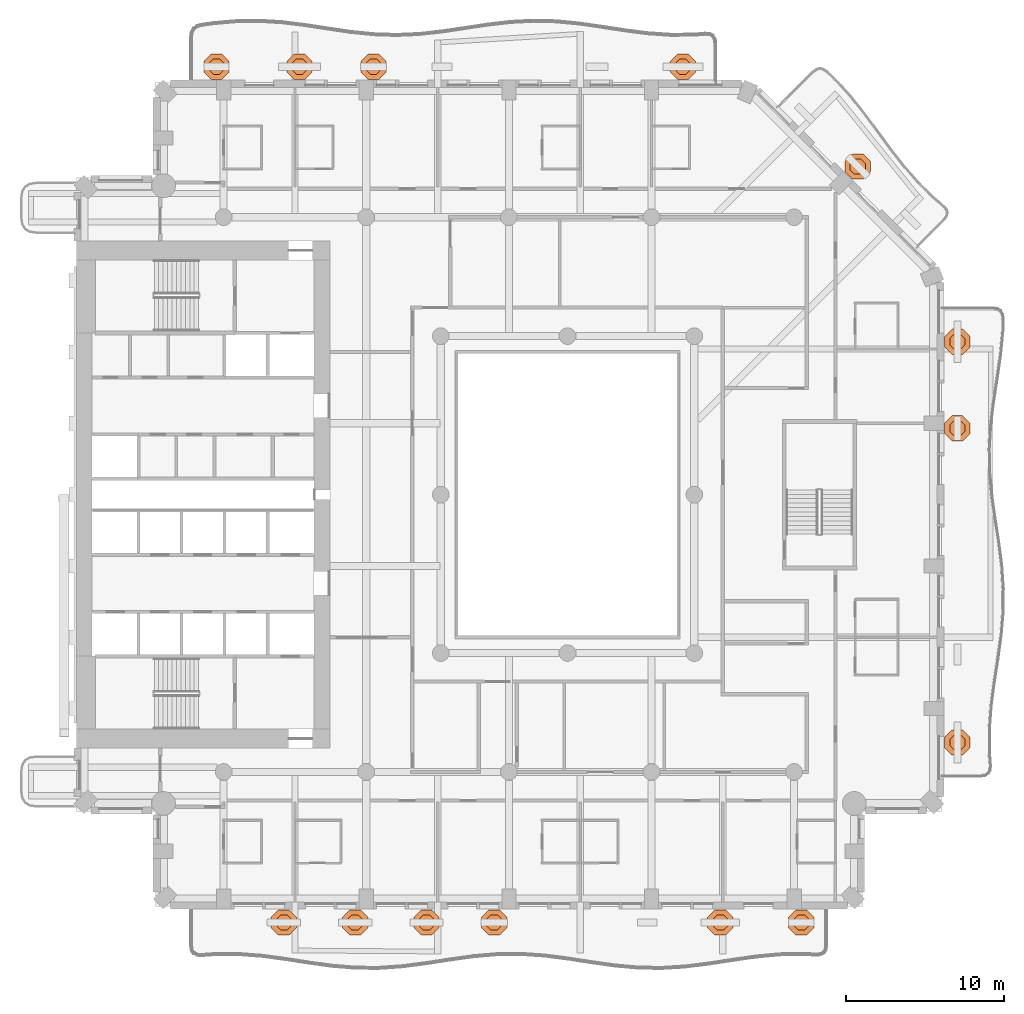
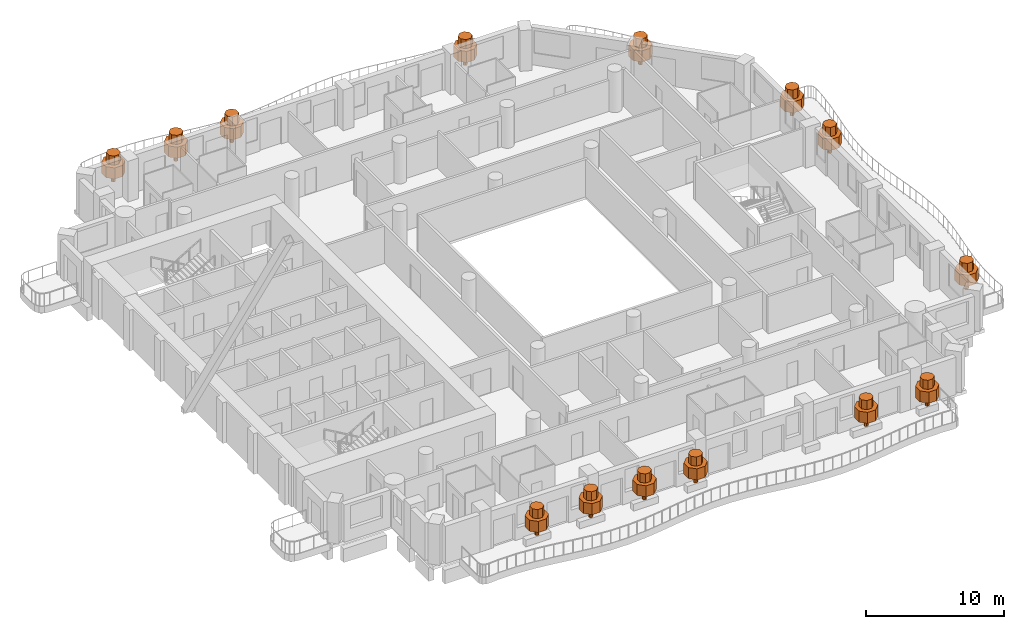
# One storey, part 21 of 21: 14 geographic elements.
"""IFC4 building model written with IfcOpenShell, lengths in metres."""

from ifc_helpers import new_model, si_unit, direction, frame, origin, place, context, subcontext, project, spatial, polyline, outline, extrude, material, type_object, element, save


model = new_model("IFC4")

# Units and contexts
model_context = context("Model", 3, precision=1e-05, world=origin(), true_north=direction((0.0, 1.0)))
body_context = subcontext(model_context, "Body", "Model", "MODEL_VIEW")
ifc_project = project(units=[si_unit("LENGTHUNIT", "METRE"), si_unit("AREAUNIT", "SQUARE_METRE"), si_unit("VOLUMEUNIT", "CUBIC_METRE"), si_unit("PLANEANGLEUNIT", "RADIAN"), si_unit("MASSUNIT", "GRAM", prefix="KILO")], contexts=[model_context])

# Site, building, storey
site_placement = place(None, origin())
site = spatial("IfcSite", under=ifc_project, at=site_placement, CompositionType="ELEMENT")
building_placement = place(site_placement, origin())
building = spatial("IfcBuilding", under=site, at=building_placement, Name="Cypress Arch Tower", CompositionType="ELEMENT")
storey_placement = place(building_placement, frame((0.0, 0.0, 127.5)))
storey = spatial("IfcBuildingStorey", under=building, at=storey_placement, Name="L27", CompositionType="ELEMENT", Elevation=127.5)

# Geographic elements
ifc_material = material(Name="Foliage and planting")
geographic_element_type = type_object("IfcGeographicElementType", Name="Balcony tree TR", PredefinedType="USERDEFINED", material=ifc_material)
for number, where, z_axis, x_axis, name in (
    (1, (-16.89990234375, -27.0, 0.60009765625), (0.0, 0.0, 1.0), (1.0, 0.0, 0.0), "Balcony tree L27-A03.1"),
    (2, (-12.39990234375, -27.0, 0.60009765625), (0.0, 0.0, 1.0), (1.0, 0.0, 0.0), "Balcony tree L27-A03.2"),
    (3, (-7.89990234375, -27.0, 0.60009765625), (0.0, 0.0, 1.0), (1.0, 0.0, 0.0), "Balcony tree L27-A03.3"),
    (4, (-3.625, -27.0, 0.60009765625), (0.0, 0.0, 1.0), (1.0, 0.0, 0.0), "Balcony tree L27-A03.4"),
    (5, (10.639892578125, -27.0, 0.60009765625), (0.0, 0.0, 1.0), (1.0, 0.0, 0.0), "Balcony tree L27-A03.6"),
    (6, (15.75, -27.0, 0.60009765625), (0.0, 0.0, 1.0), (1.0, 0.0, 0.0), "Balcony tree L27-A03.7"),
    (7, (25.60009765625, -15.642822265625, 0.60009765625), (0.0, 0.0, 1.0), (1.0, 0.0, 0.0), "Balcony tree L27-A06.1"),
    (8, (25.60009765625, 4.1826171875, 0.60009765625), (0.0, 0.0, 1.0), (1.0, 0.0, 0.0), "Balcony tree L27-A06.3"),
    (9, (25.60009765625, 9.642822265625, 0.60009765625), (0.0, 0.0, 1.0), (1.0, 0.0, 0.0), "Balcony tree L27-A06.4"),
    (10, (19.30712890625, 20.70703125, 0.60009765625), (0.0, 0.0, 1.0), (1.0, 0.0, 0.0), "Balcony tree L27-A07.2"),
    (11, (8.28125, 27.0, 0.60009765625), (0.0, 0.0, 1.0), (1.0, 0.0, 0.0), "Balcony tree L27-A08.1"),
    (12, (-11.24365234375, 27.0, 0.60009765625), (0.0, 0.0, 1.0), (1.0, 0.0, 0.0), "Balcony tree L27-A08.4"),
    (13, (-15.91259765625, 27.0, 0.60009765625), (0.0, 0.0, 1.0), (1.0, 0.0, 0.0), "Balcony tree L27-A08.5"),
    (14, (-21.14990234375, 27.0, 0.60009765625), (0.0, 0.0, 1.0), (1.0, 0.0, 0.0), "Balcony tree L27-A08.6"),
):
    element("IfcGeographicElement", number, at=place(storey_placement, frame(where, z_axis=z_axis, x_axis=x_axis)), inside=storey, type_object=geographic_element_type, Name=name, ObjectType="TREE", PredefinedType="USERDEFINED", context=body_context, shape_type="SweptSolid", body=[
        extrude(outline(polyline([(0.14990234375, 0.06201171875), (0.06201171875, 0.14990234375), (-0.06201171875, 0.14990234375), (-0.14990234375, 0.06201171875), (-0.14990234375, -0.06201171875), (-0.06201171875, -0.14990234375), (0.06201171875, -0.14990234375), (0.14990234375, -0.06201171875), (0.14990234375, 0.06201171875)])), origin(), (0.0, 0.0, 1.0), 0.864990234375),
        extrude(outline(polyline([(0.800048828125, 0.331298828125), (0.331298828125, 0.800048828125), (-0.331298828125, 0.800048828125), (-0.800048828125, 0.331298828125), (-0.800048828125, -0.331298828125), (-0.331298828125, -0.800048828125), (0.331298828125, -0.800048828125), (0.800048828125, -0.331298828125), (0.800048828125, 0.331298828125)])), frame((0.0, 0.0, 0.764892578125)), (0.0, 0.0, 1.0), 0.981689453125),
        extrude(outline(polyline([(0.47998046875, 0.19873046875), (0.19873046875, 0.47998046875), (-0.19873046875, 0.47998046875), (-0.47998046875, 0.19873046875), (-0.47998046875, -0.19873046875), (-0.19873046875, -0.47998046875), (0.19873046875, -0.47998046875), (0.47998046875, -0.19873046875), (0.47998046875, 0.19873046875)])), frame((0.0, 0.0, 1.746826171875)), (0.0, 0.0, 1.0), 0.80322265625),
    ])

save(model, "model.ifc")
